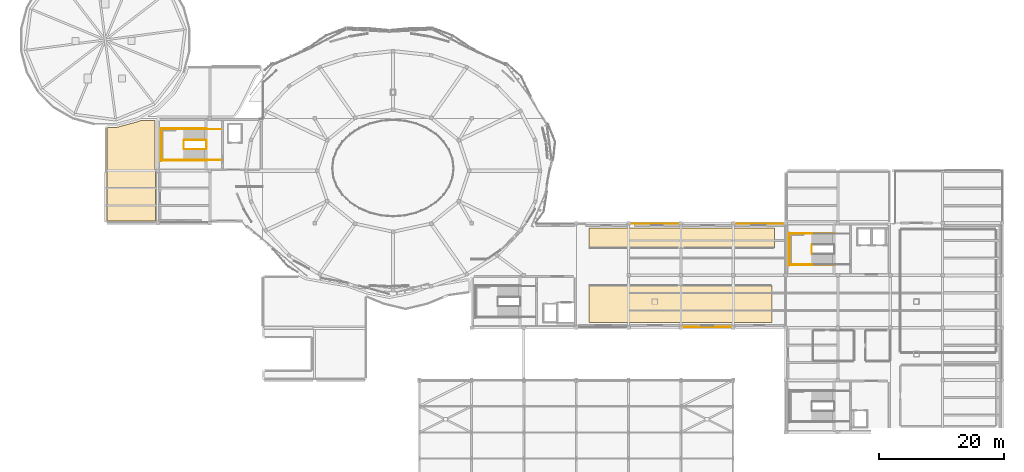
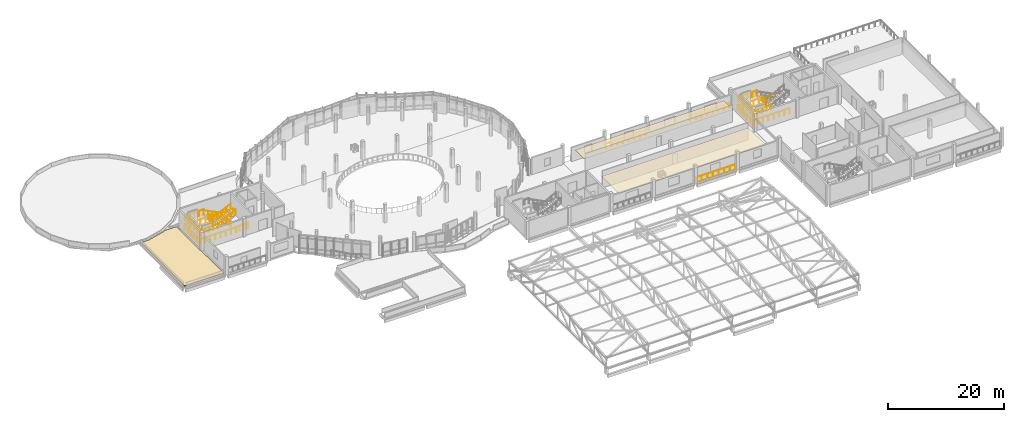
# One storey, part 68 of 74: 24 railings, 3 coverings.
"""IFC4 building model written with IfcOpenShell, lengths in metres."""

from ifc_helpers import new_model, si_unit, derived_unit, direction, frame, origin, origin_2d, place, context, subcontext, project, spatial, polyline, circle, outline, extrude, material, layer, layer_set, type_object, element, save


model = new_model("IFC4")

# Units and contexts
model_context = context("Model", 3, precision=1e-05, world=origin(), true_north=direction((0.0, 1.0)))
body_context = subcontext(model_context, "Body", "Model", "MODEL_VIEW")
ifc_project = project(units=[si_unit("LENGTHUNIT", "METRE"), si_unit("AREAUNIT", "SQUARE_METRE"), si_unit("VOLUMEUNIT", "CUBIC_METRE"), si_unit("PLANEANGLEUNIT", "RADIAN"), si_unit("MASSUNIT", "GRAM", prefix="KILO"), derived_unit("THERMALTRANSMITTANCEUNIT", [(si_unit("POWERUNIT", "WATT"), 1), (si_unit("LENGTHUNIT", "METRE"), -2), (si_unit("THERMODYNAMICTEMPERATUREUNIT", "KELVIN"), -1)])], contexts=[model_context])

# Site, building, storey
site_placement = place(None, origin())
site = spatial("IfcSite", under=ifc_project, at=site_placement, CompositionType="ELEMENT")
building_placement = place(site_placement, origin())
building = spatial("IfcBuilding", under=site, at=building_placement, Name="Elbkamm Science Centre", CompositionType="ELEMENT")
storey_placement = place(building_placement, frame((0.0, 0.0, 14.39990234375)))
storey = spatial("IfcBuildingStorey", under=building, at=storey_placement, Name="L03", CompositionType="ELEMENT", Elevation=14.39990234375)

# Coverings
ifc_material_1 = material(Name="Perforated acoustic mineral fibre ceiling tile")
ifc_layer_1 = layer(ifc_material_1, 0.0400390625)
ifc_layer_set_1 = layer_set([ifc_layer_1], Name="Perforated acoustic mineral fibre ceiling tile")
covering_type_1 = type_object("IfcCoveringType", Name="COV-CEIL-ACOUSTIC-40", PredefinedType="CEILING", material=ifc_layer_set_1)
covering_1_placement = place(storey_placement, frame((0.0, 0.0, 2.47021484375)))
element("IfcCovering", 1, at=covering_1_placement, inside=storey, type_object=covering_type_1, Name="L03 Estuarine Microbiology Studio Acoustic Ceiling", PredefinedType="CEILING", context=body_context, shape_type="SweptSolid", body=[
    extrude(outline(polyline([(94.419921875, 57.97998046875), (124.179931640625, 57.97998046875), (124.179931640625, 54.820068359375), (94.419921875, 54.820068359375), (94.419921875, 57.97998046875)])), origin(), (0.0, 0.0, 1.0), 0.039794921875),
])
covering_2_placement = place(storey_placement, frame((0.0, 0.0, 2.47021484375)))
element("IfcCovering", 2, at=covering_2_placement, inside=storey, type_object=covering_type_1, Name="L03 Curatorial Research Office Suite Acoustic Ceiling", PredefinedType="CEILING", context=body_context, shape_type="SweptSolid", body=[
    extrude(outline(polyline([(94.419921875, 48.780029296875), (123.780029296875, 48.780029296875), (123.780029296875, 42.820068359375), (94.419921875, 42.820068359375), (94.419921875, 48.780029296875)])), origin(), (0.0, 0.0, 1.0), 0.039794921875),
])
ifc_material_2 = material(Name="EPDM waterproof roofing membrane and mineral wool insulation")
ifc_layer_2 = layer(ifc_material_2, 0.179931640625)
ifc_layer_set_2 = layer_set([ifc_layer_2], Name="EPDM waterproof roofing membrane and mineral wool insulation")
covering_type_2 = type_object("IfcCoveringType", Name="COV-ROOFING-180", PredefinedType="ROOFING", material=ifc_layer_set_2)
covering_3_placement = place(storey_placement, origin())
element("IfcCovering", 3, at=covering_3_placement, inside=storey, type_object=covering_type_2, Name="L03 Insulated Roof Membrane Covering 11", PredefinedType="ROOFING", context=body_context, shape_type="SweptSolid", body=[
    extrude(outline(polyline([(24.800048828125, 75.300048828125), (24.800048828125, 67.199951171875), (24.80029296875, 67.184814453125), (24.80078125, 67.1748046875), (24.8037109375, 67.147216796875), (24.804931640625, 67.1376953125), (24.81103515625, 67.10693359375), (24.8134765625, 67.097412109375), (24.821533203125, 67.07080078125), (24.824951171875, 67.061279296875), (24.8369140625, 67.032470703125), (24.841064453125, 67.023681640625), (24.85009765625, 67.007080078125), (24.858154296875, 66.98974609375), (24.86328125, 66.9755859375), (24.86669921875, 66.961669921875), (24.868896484375, 66.947265625), (24.8701171875, 66.9248046875), (24.8701171875, 59.257568359375), (24.868896484375, 59.235107421875), (24.86669921875, 59.220703125), (24.86328125, 59.206787109375), (24.858154296875, 59.192626953125), (24.851806640625, 59.17919921875), (24.844482421875, 59.166748046875), (24.835693359375, 59.155029296875), (24.82568359375, 59.144287109375), (24.81494140625, 59.13427734375), (24.80322265625, 59.12548828125), (24.790771484375, 59.1181640625), (24.77734375, 59.11181640625), (24.76318359375, 59.106689453125), (24.749267578125, 59.103271484375), (24.73486328125, 59.10107421875), (24.71240234375, 59.10009765625), (17.257568359375, 59.10009765625), (17.235107421875, 59.10107421875), (17.220703125, 59.103271484375), (17.206787109375, 59.106689453125), (17.192626953125, 59.11181640625), (17.17919921875, 59.1181640625), (17.166748046875, 59.12548828125), (17.155029296875, 59.13427734375), (17.144287109375, 59.144287109375), (17.13427734375, 59.155029296875), (17.12548828125, 59.166748046875), (17.1181640625, 59.17919921875), (17.11181640625, 59.192626953125), (17.106689453125, 59.206787109375), (17.103271484375, 59.220703125), (17.10107421875, 59.235107421875), (17.10009765625, 59.257568359375), (17.10009765625, 74.010498046875), (17.10107421875, 74.032958984375), (17.103271484375, 74.04736328125), (17.106689453125, 74.061279296875), (17.11181640625, 74.075439453125), (17.1181640625, 74.0888671875), (17.12548828125, 74.101318359375), (17.13427734375, 74.113037109375), (17.144287109375, 74.123779296875), (17.155029296875, 74.1337890625), (17.166748046875, 74.142578125), (17.17919921875, 74.14990234375), (17.192626953125, 74.15625), (17.206787109375, 74.161376953125), (17.220703125, 74.164794921875), (17.235107421875, 74.1669921875), (17.257568359375, 74.168212890625), (18.601318359375, 74.168212890625), (18.614990234375, 74.16845703125), (18.619384765625, 74.168701171875), (18.647216796875, 74.171142578125), (18.651611328125, 74.171875), (18.6728515625, 74.175537109375), (18.677001953125, 74.176513671875), (18.69189453125, 74.179931640625), (18.697509765625, 74.181396484375), (22.166748046875, 75.111083984375), (22.169189453125, 75.11181640625), (22.173828125, 75.113037109375), (22.1826171875, 75.115478515625), (22.186767578125, 75.116943359375), (22.21533203125, 75.12744140625), (22.219482421875, 75.129150390625), (22.239013671875, 75.13818359375), (22.242919921875, 75.140380859375), (22.256591796875, 75.147705078125), (22.26123046875, 75.150390625), (22.5205078125, 75.300048828125), (24.800048828125, 75.300048828125)])), origin(), (0.0, 0.0, 1.0), 0.18017578125),
])

# Railings
ifc_material_3 = material(Name="Stainless steel EN 1.4401", Category="steel")
railing_type_1 = type_object("IfcRailingType", Name="RAIL-EXT-GUARD-1100", PredefinedType="GUARDRAIL", material=ifc_material_3)
railing_1_placement = place(storey_placement, frame((101.080078125, 58.699951171875, 0.0)))
element("IfcRailing", 4, at=railing_1_placement, inside=storey, type_object=railing_type_1, Name="L03 Slab Edge Perimeter Guard 083", PredefinedType="GUARDRAIL", context=body_context, shape_type="SweptSolid", body=[
    extrude(circle(Radius=0.02392578125, at=origin_2d()), frame((0.0, 0.0, 1.078125), z_axis=(1.0, 0.0, 0.0), x_axis=(0.0, 1.0, 0.0)), (0.0, 0.0, 1.0), 7.83984375),
    extrude(circle(Radius=0.02001953125, at=origin_2d()), origin(), (0.0, 0.0, 1.0), 1.048095703125),
    extrude(circle(Radius=0.02001953125, at=origin_2d()), frame((1.119873046875, 0.0, 0.0)), (0.0, 0.0, 1.0), 1.048095703125),
    extrude(circle(Radius=0.02001953125, at=origin_2d()), frame((2.239990234375, 0.0, 0.0)), (0.0, 0.0, 1.0), 1.048095703125),
    extrude(circle(Radius=0.02001953125, at=origin_2d()), frame((3.35986328125, 0.0, 0.0)), (0.0, 0.0, 1.0), 1.048095703125),
    extrude(circle(Radius=0.02001953125, at=origin_2d()), frame((4.47998046875, 0.0, 0.0)), (0.0, 0.0, 1.0), 1.048095703125),
    extrude(circle(Radius=0.02001953125, at=origin_2d()), frame((5.599853515625, 0.0, 0.0)), (0.0, 0.0, 1.0), 1.048095703125),
    extrude(circle(Radius=0.02001953125, at=origin_2d()), frame((6.719970703125, 0.0, 0.0)), (0.0, 0.0, 1.0), 1.048095703125),
    extrude(circle(Radius=0.02001953125, at=origin_2d()), frame((7.83984375, 0.0, 0.0)), (0.0, 0.0, 1.0), 1.048095703125),
])
railing_2_placement = place(storey_placement, frame((117.8798828125, 58.699951171875, 0.0)))
element("IfcRailing", 5, at=railing_2_placement, inside=storey, type_object=railing_type_1, Name="L03 Slab Edge Perimeter Guard 084", PredefinedType="GUARDRAIL", context=body_context, shape_type="SweptSolid", body=[
    extrude(circle(Radius=0.02392578125, at=origin_2d()), frame((0.0, 0.0, 1.078125), z_axis=(1.0, 0.0, 0.0), x_axis=(0.0, 1.0, 0.0)), (0.0, 0.0, 1.0), 7.840087890625),
    extrude(circle(Radius=0.02001953125, at=origin_2d()), origin(), (0.0, 0.0, 1.0), 1.048095703125),
    extrude(circle(Radius=0.02001953125, at=origin_2d()), frame((1.1201171875, 0.0, 0.0)), (0.0, 0.0, 1.0), 1.048095703125),
    extrude(circle(Radius=0.02001953125, at=origin_2d()), frame((2.239990234375, 0.0, 0.0)), (0.0, 0.0, 1.0), 1.048095703125),
    extrude(circle(Radius=0.02001953125, at=origin_2d()), frame((3.360107421875, 0.0, 0.0)), (0.0, 0.0, 1.0), 1.048095703125),
    extrude(circle(Radius=0.02001953125, at=origin_2d()), frame((4.47998046875, 0.0, 0.0)), (0.0, 0.0, 1.0), 1.048095703125),
    extrude(circle(Radius=0.02001953125, at=origin_2d()), frame((5.60009765625, 0.0, 0.0)), (0.0, 0.0, 1.0), 1.048095703125),
    extrude(circle(Radius=0.02001953125, at=origin_2d()), frame((6.719970703125, 0.0, 0.0)), (0.0, 0.0, 1.0), 1.048095703125),
    extrude(circle(Radius=0.02001953125, at=origin_2d()), frame((7.840087890625, 0.0, 0.0)), (0.0, 0.0, 1.0), 1.048095703125),
])
railing_3_placement = place(storey_placement, frame((117.320068359375, 42.10009765625, 0.0)))
element("IfcRailing", 6, at=railing_3_placement, inside=storey, type_object=railing_type_1, Name="L03 Slab Edge Perimeter Guard 090", PredefinedType="GUARDRAIL", context=body_context, shape_type="SweptSolid", body=[
    extrude(circle(Radius=0.02392578125, at=origin_2d()), frame((0.0, 0.0, 1.078125), z_axis=(-1.0, 0.0, 0.0), x_axis=(0.0, -1.0, 0.0)), (0.0, 0.0, 1.0), 7.840087890625),
    extrude(circle(Radius=0.02001953125, at=origin_2d()), origin(), (0.0, 0.0, 1.0), 1.048095703125),
    extrude(circle(Radius=0.02001953125, at=origin_2d()), frame((-1.1201171875, 0.0, 0.0)), (0.0, 0.0, 1.0), 1.048095703125),
    extrude(circle(Radius=0.02001953125, at=origin_2d()), frame((-2.239990234375, 0.0, 0.0)), (0.0, 0.0, 1.0), 1.048095703125),
    extrude(circle(Radius=0.02001953125, at=origin_2d()), frame((-3.360107421875, 0.0, 0.0)), (0.0, 0.0, 1.0), 1.048095703125),
    extrude(circle(Radius=0.02001953125, at=origin_2d()), frame((-4.47998046875, 0.0, 0.0)), (0.0, 0.0, 1.0), 1.048095703125),
    extrude(circle(Radius=0.02001953125, at=origin_2d()), frame((-5.60009765625, 0.0, 0.0)), (0.0, 0.0, 1.0), 1.048095703125),
    extrude(circle(Radius=0.02001953125, at=origin_2d()), frame((-6.719970703125, 0.0, 0.0)), (0.0, 0.0, 1.0), 1.048095703125),
    extrude(circle(Radius=0.02001953125, at=origin_2d()), frame((-7.840087890625, 0.0, 0.0)), (0.0, 0.0, 1.0), 1.048095703125),
])
railing_type_2 = type_object("IfcRailingType", Name="RAIL-GUARD-1100", PredefinedType="GUARDRAIL", material=ifc_material_3)
railing_4_placement = place(storey_placement, frame((32.97998046875, 72.14990234375, 0.16259765625)))
element("IfcRailing", 7, at=railing_4_placement, inside=storey, type_object=railing_type_2, Name="L03 ST-C1 stair guard 1", PredefinedType="GUARDRAIL", context=body_context, shape_type="SweptSolid", body=[
    extrude(circle(Radius=0.02392578125, at=origin_2d()), frame((0.0, 0.0, 1.078125), z_axis=(-0.891614535321, 0.0, 0.452795230103), x_axis=(0.0, -1.0, 0.0)), (0.0, 0.0, 1.0), 3.947998046875),
    extrude(circle(Radius=0.02001953125, at=origin_2d()), origin(), (0.0, 0.0, 1.0), 1.048095703125),
    extrude(circle(Radius=0.02001953125, at=origin_2d()), frame((-0.8798828125, 0.0, 0.44677734375)), (0.0, 0.0, 1.0), 1.048095703125),
    extrude(circle(Radius=0.02001953125, at=origin_2d()), frame((-1.760009765625, 0.0, 0.893798828125)), (0.0, 0.0, 1.0), 1.048095703125),
    extrude(circle(Radius=0.02001953125, at=origin_2d()), frame((-2.64013671875, 0.0, 1.3408203125)), (0.0, 0.0, 1.0), 1.048095703125),
    extrude(circle(Radius=0.02001953125, at=origin_2d()), frame((-3.52001953125, 0.0, 1.78759765625)), (0.0, 0.0, 1.0), 1.048095703125),
])
railing_5_placement = place(storey_placement, frame((29.409912109375, 72.10009765625, 1.9501953125)))
element("IfcRailing", 8, at=railing_5_placement, inside=storey, type_object=railing_type_2, Name="L03 ST-C1 stair guard 2", PredefinedType="GUARDRAIL", context=body_context, shape_type="SweptSolid", body=[
    extrude(circle(Radius=0.02392578125, at=origin_2d()), frame((0.0, 0.0, 1.078125), z_axis=(0.0, -1.0, 0.0), x_axis=(1.0, 0.0, 0.0)), (0.0, 0.0, 1.0), 1.400146484375),
    extrude(circle(Radius=0.02001953125, at=origin_2d()), origin(), (0.0, 0.0, 1.0), 1.048095703125),
    extrude(circle(Radius=0.02001953125, at=origin_2d()), frame((0.0, -0.7001953125, 0.0)), (0.0, 0.0, 1.0), 1.048095703125),
    extrude(circle(Radius=0.02001953125, at=origin_2d()), frame((0.0, -1.400146484375, 0.0)), (0.0, 0.0, 1.0), 1.048095703125),
])
for number, where, name in (
    (9, (29.4599609375, 73.8701171875, 1.9501953125), "L03 ST-C1 stair guard 3"),
    (10, (29.4599609375, 68.929931640625, 1.9501953125), "L03 ST-C1 stair guard 4"),
):
    element("IfcRailing", number, at=place(storey_placement, frame(where)), inside=storey, type_object=railing_type_2, Name=name, PredefinedType="GUARDRAIL", context=body_context, shape_type="SweptSolid", body=[
        extrude(circle(Radius=0.02392578125, at=origin_2d()), frame((0.0, 0.0, 1.078125), z_axis=(-1.0, 0.0, 0.0), x_axis=(0.0, -1.0, 0.0)), (0.0, 0.0, 1.0), 3.659912109375),
        extrude(circle(Radius=0.02001953125, at=origin_2d()), origin(), (0.0, 0.0, 1.0), 1.048095703125),
        extrude(circle(Radius=0.02001953125, at=origin_2d()), frame((-0.9150390625, 0.0, 0.0)), (0.0, 0.0, 1.0), 1.048095703125),
        extrude(circle(Radius=0.02001953125, at=origin_2d()), frame((-1.830078125, 0.0, 0.0)), (0.0, 0.0, 1.0), 1.048095703125),
        extrude(circle(Radius=0.02001953125, at=origin_2d()), frame((-2.744873046875, 0.0, 0.0)), (0.0, 0.0, 1.0), 1.048095703125),
        extrude(circle(Radius=0.02001953125, at=origin_2d()), frame((-3.659912109375, 0.0, 0.0)), (0.0, 0.0, 1.0), 1.048095703125),
    ])
railing_6_placement = place(storey_placement, frame((25.85009765625, 73.919921875, 1.9501953125)))
element("IfcRailing", 11, at=railing_6_placement, inside=storey, type_object=railing_type_2, Name="L03 ST-C1 stair guard 5", PredefinedType="GUARDRAIL", context=body_context, shape_type="SweptSolid", body=[
    extrude(circle(Radius=0.02392578125, at=origin_2d()), frame((0.0, 0.0, 1.078125), z_axis=(0.0, -1.0, 0.0), x_axis=(1.0, 0.0, 0.0)), (0.0, 0.0, 1.0), 5.0400390625),
    extrude(circle(Radius=0.02001953125, at=origin_2d()), origin(), (0.0, 0.0, 1.0), 1.048095703125),
    extrude(circle(Radius=0.02001953125, at=origin_2d()), frame((0.0, -1.008056640625, 0.0)), (0.0, 0.0, 1.0), 1.048095703125),
    extrude(circle(Radius=0.02001953125, at=origin_2d()), frame((0.0, -2.01611328125, 0.0)), (0.0, 0.0, 1.0), 1.048095703125),
    extrude(circle(Radius=0.02001953125, at=origin_2d()), frame((0.0, -3.02392578125, 0.0)), (0.0, 0.0, 1.0), 1.048095703125),
    extrude(circle(Radius=0.02001953125, at=origin_2d()), frame((0.0, -4.031982421875, 0.0)), (0.0, 0.0, 1.0), 1.048095703125),
    extrude(circle(Radius=0.02001953125, at=origin_2d()), frame((0.0, -5.0400390625, 0.0)), (0.0, 0.0, 1.0), 1.048095703125),
])
railing_7_placement = place(storey_placement, frame((29.4599609375, 70.64990234375, 2.112548828125)))
element("IfcRailing", 12, at=railing_7_placement, inside=storey, type_object=railing_type_2, Name="L03 ST-C1 stair guard 6", PredefinedType="GUARDRAIL", context=body_context, shape_type="SweptSolid", body=[
    extrude(circle(Radius=0.02392578125, at=origin_2d()), frame((0.0, 0.0, 1.078125), z_axis=(0.891614535321, 0.0, 0.452795230103), x_axis=(0.0, 1.0, 0.0)), (0.0, 0.0, 1.0), 3.947998046875),
    extrude(circle(Radius=0.02001953125, at=origin_2d()), origin(), (0.0, 0.0, 1.0), 1.048095703125),
    extrude(circle(Radius=0.02001953125, at=origin_2d()), frame((0.8798828125, 0.0, 0.44677734375)), (0.0, 0.0, 1.0), 1.048095703125),
    extrude(circle(Radius=0.02001953125, at=origin_2d()), frame((1.760009765625, 0.0, 0.893798828125)), (0.0, 0.0, 1.0), 1.048095703125),
    extrude(circle(Radius=0.02001953125, at=origin_2d()), frame((2.64013671875, 0.0, 1.3408203125)), (0.0, 0.0, 1.0), 1.048095703125),
    extrude(circle(Radius=0.02001953125, at=origin_2d()), frame((3.52001953125, 0.0, 1.78759765625)), (0.0, 0.0, 1.0), 1.048095703125),
])
railing_8_placement = place(storey_placement, frame((33.030029296875, 72.10009765625, 0.0)))
element("IfcRailing", 13, at=railing_8_placement, inside=storey, type_object=railing_type_2, Name="L03 ST-C1 stair guard 7", PredefinedType="GUARDRAIL", context=body_context, shape_type="SweptSolid", body=[
    extrude(circle(Radius=0.02392578125, at=origin_2d()), frame((0.0, 0.0, 1.078125), z_axis=(0.0, -1.0, 0.0), x_axis=(1.0, 0.0, 0.0)), (0.0, 0.0, 1.0), 1.400146484375),
    extrude(circle(Radius=0.02001953125, at=origin_2d()), origin(), (0.0, 0.0, 1.0), 1.048095703125),
    extrude(circle(Radius=0.02001953125, at=origin_2d()), frame((0.0, -0.7001953125, 0.0)), (0.0, 0.0, 1.0), 1.048095703125),
    extrude(circle(Radius=0.02001953125, at=origin_2d()), frame((0.0, -1.400146484375, 0.0)), (0.0, 0.0, 1.0), 1.048095703125),
])
for number, where, name in (
    (14, (35.39990234375, 73.8701171875, 0.0), "L03 ST-C1 stair guard 8"),
    (15, (35.39990234375, 68.929931640625, 0.0), "L03 ST-C1 stair guard 9"),
):
    element("IfcRailing", number, at=place(storey_placement, frame(where)), inside=storey, type_object=railing_type_2, Name=name, PredefinedType="GUARDRAIL", context=body_context, shape_type="SweptSolid", body=[
        extrude(circle(Radius=0.02392578125, at=origin_2d()), frame((0.0, 0.0, 1.078125), z_axis=(-1.0, 0.0, 0.0), x_axis=(0.0, -1.0, 0.0)), (0.0, 0.0, 1.0), 2.419921875),
        extrude(circle(Radius=0.02001953125, at=origin_2d()), origin(), (0.0, 0.0, 1.0), 1.048095703125),
        extrude(circle(Radius=0.02001953125, at=origin_2d()), frame((-0.806640625, 0.0, 0.0)), (0.0, 0.0, 1.0), 1.048095703125),
        extrude(circle(Radius=0.02001953125, at=origin_2d()), frame((-1.61328125, 0.0, 0.0)), (0.0, 0.0, 1.0), 1.048095703125),
        extrude(circle(Radius=0.02001953125, at=origin_2d()), frame((-2.419921875, 0.0, 0.0)), (0.0, 0.0, 1.0), 1.048095703125),
    ])
for number, where, name in (
    (16, (33.080078125, 73.969970703125, 0.0), "L03 ST-C1 stair guard 10"),
    (17, (33.080078125, 68.830078125, 0.0), "L03 ST-C1 stair guard 11"),
):
    element("IfcRailing", number, at=place(storey_placement, frame(where)), inside=storey, type_object=railing_type_2, Name=name, PredefinedType="GUARDRAIL", context=body_context, shape_type="SweptSolid", body=[
        extrude(circle(Radius=0.02392578125, at=origin_2d()), frame((0.0, 0.0, 1.078125), z_axis=(-1.0, 0.0, 0.0), x_axis=(0.0, -1.0, 0.0)), (0.0, 0.0, 1.0), 7.380126953125),
        extrude(circle(Radius=0.02001953125, at=origin_2d()), origin(), (0.0, 0.0, 1.0), 1.048095703125),
        extrude(circle(Radius=0.02001953125, at=origin_2d()), frame((-1.05419921875, 0.0, 0.0)), (0.0, 0.0, 1.0), 1.048095703125),
        extrude(circle(Radius=0.02001953125, at=origin_2d()), frame((-2.108642578125, 0.0, 0.0)), (0.0, 0.0, 1.0), 1.048095703125),
        extrude(circle(Radius=0.02001953125, at=origin_2d()), frame((-3.162841796875, 0.0, 0.0)), (0.0, 0.0, 1.0), 1.048095703125),
        extrude(circle(Radius=0.02001953125, at=origin_2d()), frame((-4.21728515625, 0.0, 0.0)), (0.0, 0.0, 1.0), 1.048095703125),
        extrude(circle(Radius=0.02001953125, at=origin_2d()), frame((-5.271484375, 0.0, 0.0)), (0.0, 0.0, 1.0), 1.048095703125),
        extrude(circle(Radius=0.02001953125, at=origin_2d()), frame((-6.325927734375, 0.0, 0.0)), (0.0, 0.0, 1.0), 1.048095703125),
        extrude(circle(Radius=0.02001953125, at=origin_2d()), frame((-7.380126953125, 0.0, 0.0)), (0.0, 0.0, 1.0), 1.048095703125),
    ])
railing_9_placement = place(storey_placement, frame((25.75, 74.02001953125, 0.0)))
element("IfcRailing", 18, at=railing_9_placement, inside=storey, type_object=railing_type_2, Name="L03 ST-C1 stair guard 12", PredefinedType="GUARDRAIL", context=body_context, shape_type="SweptSolid", body=[
    extrude(circle(Radius=0.02392578125, at=origin_2d()), frame((0.0, 0.0, 1.078125), z_axis=(0.0, -1.0, 0.0), x_axis=(1.0, 0.0, 0.0)), (0.0, 0.0, 1.0), 5.239990234375),
    extrude(circle(Radius=0.02001953125, at=origin_2d()), origin(), (0.0, 0.0, 1.0), 1.048095703125),
    extrude(circle(Radius=0.02001953125, at=origin_2d()), frame((0.0, -1.048095703125, 0.0)), (0.0, 0.0, 1.0), 1.048095703125),
    extrude(circle(Radius=0.02001953125, at=origin_2d()), frame((0.0, -2.095947265625, 0.0)), (0.0, 0.0, 1.0), 1.048095703125),
    extrude(circle(Radius=0.02001953125, at=origin_2d()), frame((0.0, -3.14404296875, 0.0)), (0.0, 0.0, 1.0), 1.048095703125),
    extrude(circle(Radius=0.02001953125, at=origin_2d()), frame((0.0, -4.19189453125, 0.0)), (0.0, 0.0, 1.0), 1.048095703125),
    extrude(circle(Radius=0.02001953125, at=origin_2d()), frame((0.0, -5.239990234375, 0.0)), (0.0, 0.0, 1.0), 1.048095703125),
])
railing_10_placement = place(storey_placement, frame((130.2099609375, 55.300048828125, 1.9501953125)))
element("IfcRailing", 19, at=railing_10_placement, inside=storey, type_object=railing_type_2, Name="L03 ST-C3 stair guard 2", PredefinedType="GUARDRAIL", context=body_context, shape_type="SweptSolid", body=[
    extrude(circle(Radius=0.02392578125, at=origin_2d()), frame((0.0, 0.0, 1.078125), z_axis=(0.0, -1.0, 0.0), x_axis=(1.0, 0.0, 0.0)), (0.0, 0.0, 1.0), 1.400146484375),
    extrude(circle(Radius=0.02001953125, at=origin_2d()), origin(), (0.0, 0.0, 1.0), 1.048095703125),
    extrude(circle(Radius=0.02001953125, at=origin_2d()), frame((0.0, -0.7001953125, 0.0)), (0.0, 0.0, 1.0), 1.048095703125),
    extrude(circle(Radius=0.02001953125, at=origin_2d()), frame((0.0, -1.400146484375, 0.0)), (0.0, 0.0, 1.0), 1.048095703125),
])
for number, where, name in (
    (20, (130.260009765625, 57.070068359375, 1.9501953125), "L03 ST-C3 stair guard 3"),
    (21, (130.260009765625, 52.1298828125, 1.9501953125), "L03 ST-C3 stair guard 4"),
):
    element("IfcRailing", number, at=place(storey_placement, frame(where)), inside=storey, type_object=railing_type_2, Name=name, PredefinedType="GUARDRAIL", context=body_context, shape_type="SweptSolid", body=[
        extrude(circle(Radius=0.02392578125, at=origin_2d()), frame((0.0, 0.0, 1.078125), z_axis=(-1.0, 0.0, 0.0), x_axis=(0.0, -1.0, 0.0)), (0.0, 0.0, 1.0), 3.659912109375),
        extrude(circle(Radius=0.02001953125, at=origin_2d()), origin(), (0.0, 0.0, 1.0), 1.048095703125),
        extrude(circle(Radius=0.02001953125, at=origin_2d()), frame((-0.9150390625, 0.0, 0.0)), (0.0, 0.0, 1.0), 1.048095703125),
        extrude(circle(Radius=0.02001953125, at=origin_2d()), frame((-1.830078125, 0.0, 0.0)), (0.0, 0.0, 1.0), 1.048095703125),
        extrude(circle(Radius=0.02001953125, at=origin_2d()), frame((-2.744873046875, 0.0, 0.0)), (0.0, 0.0, 1.0), 1.048095703125),
        extrude(circle(Radius=0.02001953125, at=origin_2d()), frame((-3.659912109375, 0.0, 0.0)), (0.0, 0.0, 1.0), 1.048095703125),
    ])
railing_11_placement = place(storey_placement, frame((126.64990234375, 57.1201171875, 1.9501953125)))
element("IfcRailing", 22, at=railing_11_placement, inside=storey, type_object=railing_type_2, Name="L03 ST-C3 stair guard 5", PredefinedType="GUARDRAIL", context=body_context, shape_type="SweptSolid", body=[
    extrude(circle(Radius=0.02392578125, at=origin_2d()), frame((0.0, 0.0, 1.078125), z_axis=(0.0, -1.0, 0.0), x_axis=(1.0, 0.0, 0.0)), (0.0, 0.0, 1.0), 5.0400390625),
    extrude(circle(Radius=0.02001953125, at=origin_2d()), origin(), (0.0, 0.0, 1.0), 1.048095703125),
    extrude(circle(Radius=0.02001953125, at=origin_2d()), frame((0.0, -1.008056640625, 0.0)), (0.0, 0.0, 1.0), 1.048095703125),
    extrude(circle(Radius=0.02001953125, at=origin_2d()), frame((0.0, -2.01611328125, 0.0)), (0.0, 0.0, 1.0), 1.048095703125),
    extrude(circle(Radius=0.02001953125, at=origin_2d()), frame((0.0, -3.02392578125, 0.0)), (0.0, 0.0, 1.0), 1.048095703125),
    extrude(circle(Radius=0.02001953125, at=origin_2d()), frame((0.0, -4.031982421875, 0.0)), (0.0, 0.0, 1.0), 1.048095703125),
    extrude(circle(Radius=0.02001953125, at=origin_2d()), frame((0.0, -5.0400390625, 0.0)), (0.0, 0.0, 1.0), 1.048095703125),
])
for number, where, name in (
    (23, (133.8798828125, 57.169921875, 0.0), "L03 ST-C3 stair guard 10"),
    (24, (133.8798828125, 52.030029296875, 0.0), "L03 ST-C3 stair guard 11"),
):
    element("IfcRailing", number, at=place(storey_placement, frame(where)), inside=storey, type_object=railing_type_2, Name=name, PredefinedType="GUARDRAIL", context=body_context, shape_type="SweptSolid", body=[
        extrude(circle(Radius=0.02392578125, at=origin_2d()), frame((0.0, 0.0, 1.078125), z_axis=(-1.0, 0.0, 0.0), x_axis=(0.0, -1.0, 0.0)), (0.0, 0.0, 1.0), 7.3798828125),
        extrude(circle(Radius=0.02001953125, at=origin_2d()), origin(), (0.0, 0.0, 1.0), 1.048095703125),
        extrude(circle(Radius=0.02001953125, at=origin_2d()), frame((-1.05419921875, 0.0, 0.0)), (0.0, 0.0, 1.0), 1.048095703125),
        extrude(circle(Radius=0.02001953125, at=origin_2d()), frame((-2.108642578125, 0.0, 0.0)), (0.0, 0.0, 1.0), 1.048095703125),
        extrude(circle(Radius=0.02001953125, at=origin_2d()), frame((-3.162841796875, 0.0, 0.0)), (0.0, 0.0, 1.0), 1.048095703125),
        extrude(circle(Radius=0.02001953125, at=origin_2d()), frame((-4.217041015625, 0.0, 0.0)), (0.0, 0.0, 1.0), 1.048095703125),
        extrude(circle(Radius=0.02001953125, at=origin_2d()), frame((-5.271240234375, 0.0, 0.0)), (0.0, 0.0, 1.0), 1.048095703125),
        extrude(circle(Radius=0.02001953125, at=origin_2d()), frame((-6.32568359375, 0.0, 0.0)), (0.0, 0.0, 1.0), 1.048095703125),
        extrude(circle(Radius=0.02001953125, at=origin_2d()), frame((-7.3798828125, 0.0, 0.0)), (0.0, 0.0, 1.0), 1.048095703125),
    ])
railing_12_placement = place(storey_placement, frame((126.550048828125, 57.219970703125, 0.0)))
element("IfcRailing", 25, at=railing_12_placement, inside=storey, type_object=railing_type_2, Name="L03 ST-C3 stair guard 12", PredefinedType="GUARDRAIL", context=body_context, shape_type="SweptSolid", body=[
    extrude(circle(Radius=0.02392578125, at=origin_2d()), frame((0.0, 0.0, 1.078125), z_axis=(0.0, -1.0, 0.0), x_axis=(1.0, 0.0, 0.0)), (0.0, 0.0, 1.0), 5.239990234375),
    extrude(circle(Radius=0.02001953125, at=origin_2d()), origin(), (0.0, 0.0, 1.0), 1.048095703125),
    extrude(circle(Radius=0.02001953125, at=origin_2d()), frame((0.0, -1.048095703125, 0.0)), (0.0, 0.0, 1.0), 1.048095703125),
    extrude(circle(Radius=0.02001953125, at=origin_2d()), frame((0.0, -2.095947265625, 0.0)), (0.0, 0.0, 1.0), 1.048095703125),
    extrude(circle(Radius=0.02001953125, at=origin_2d()), frame((0.0, -3.14404296875, 0.0)), (0.0, 0.0, 1.0), 1.048095703125),
    extrude(circle(Radius=0.02001953125, at=origin_2d()), frame((0.0, -4.19189453125, 0.0)), (0.0, 0.0, 1.0), 1.048095703125),
    extrude(circle(Radius=0.02001953125, at=origin_2d()), frame((0.0, -5.239990234375, 0.0)), (0.0, 0.0, 1.0), 1.048095703125),
])
railing_type_3 = type_object("IfcRailingType", Name="RAIL-HAND-900", PredefinedType="HANDRAIL", material=ifc_material_3)
railing_13_placement = place(storey_placement, frame((32.97998046875, 73.8701171875, 0.16259765625)))
element("IfcRailing", 26, at=railing_13_placement, inside=storey, type_object=railing_type_3, Name="L03 ST-C1 stair handrail 1", PredefinedType="HANDRAIL", context=body_context, shape_type="SweptSolid", body=[
    extrude(circle(Radius=0.02392578125, at=origin_2d()), frame((0.0, 0.0, 0.8779296875), z_axis=(-0.891614535321, 0.0, 0.452795230103), x_axis=(0.0, -1.0, 0.0)), (0.0, 0.0, 1.0), 3.947998046875),
    extrude(circle(Radius=0.02001953125, at=origin_2d()), origin(), (0.0, 0.0, 1.0), 0.847900390625),
    extrude(circle(Radius=0.02001953125, at=origin_2d()), frame((-0.8798828125, 0.0, 0.44677734375)), (0.0, 0.0, 1.0), 0.847900390625),
    extrude(circle(Radius=0.02001953125, at=origin_2d()), frame((-1.760009765625, 0.0, 0.893798828125)), (0.0, 0.0, 1.0), 0.847900390625),
    extrude(circle(Radius=0.02001953125, at=origin_2d()), frame((-2.64013671875, 0.0, 1.3408203125)), (0.0, 0.0, 1.0), 0.847900390625),
    extrude(circle(Radius=0.02001953125, at=origin_2d()), frame((-3.52001953125, 0.0, 1.78759765625)), (0.0, 0.0, 1.0), 0.847900390625),
])
railing_14_placement = place(storey_placement, frame((29.4599609375, 68.929931640625, 2.112548828125)))
element("IfcRailing", 27, at=railing_14_placement, inside=storey, type_object=railing_type_3, Name="L03 ST-C1 stair handrail 2", PredefinedType="HANDRAIL", context=body_context, shape_type="SweptSolid", body=[
    extrude(circle(Radius=0.02392578125, at=origin_2d()), frame((0.0, 0.0, 0.8779296875), z_axis=(0.891614535321, 0.0, 0.452795230103), x_axis=(0.0, 1.0, 0.0)), (0.0, 0.0, 1.0), 3.947998046875),
    extrude(circle(Radius=0.02001953125, at=origin_2d()), origin(), (0.0, 0.0, 1.0), 0.847900390625),
    extrude(circle(Radius=0.02001953125, at=origin_2d()), frame((0.8798828125, 0.0, 0.44677734375)), (0.0, 0.0, 1.0), 0.847900390625),
    extrude(circle(Radius=0.02001953125, at=origin_2d()), frame((1.760009765625, 0.0, 0.893798828125)), (0.0, 0.0, 1.0), 0.847900390625),
    extrude(circle(Radius=0.02001953125, at=origin_2d()), frame((2.64013671875, 0.0, 1.3408203125)), (0.0, 0.0, 1.0), 0.847900390625),
    extrude(circle(Radius=0.02001953125, at=origin_2d()), frame((3.52001953125, 0.0, 1.78759765625)), (0.0, 0.0, 1.0), 0.847900390625),
])

save(model, "model.ifc")
